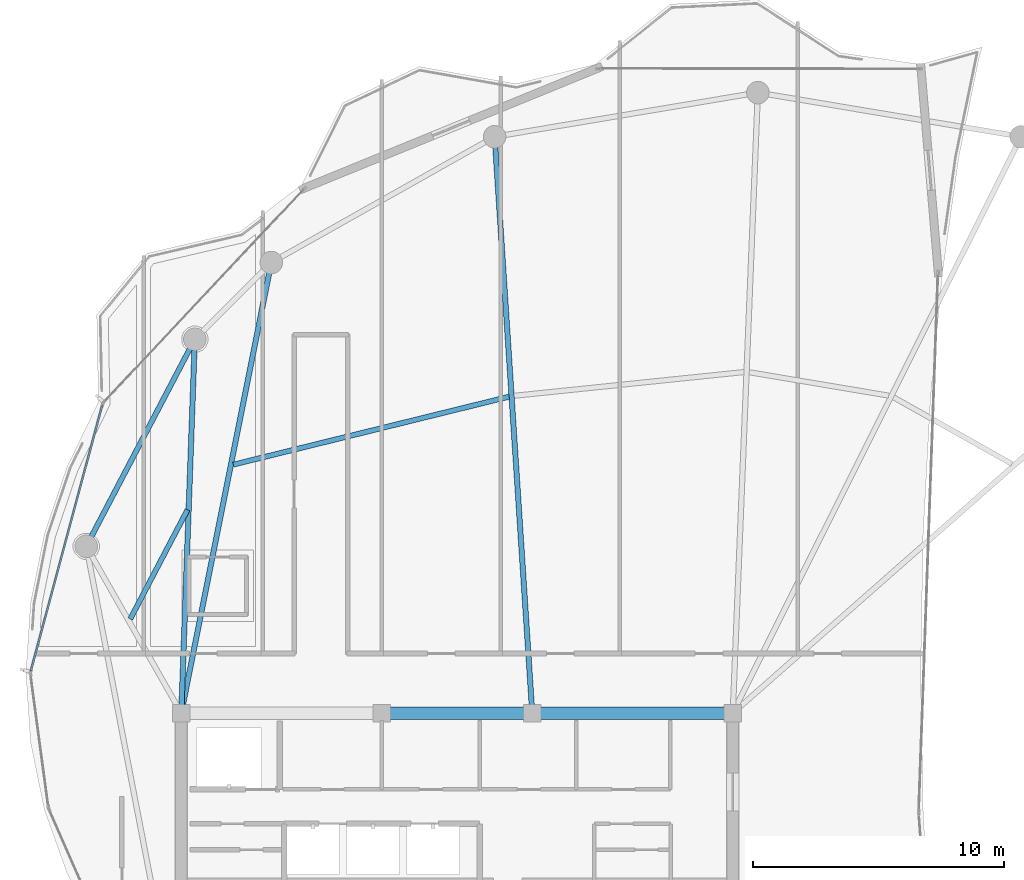
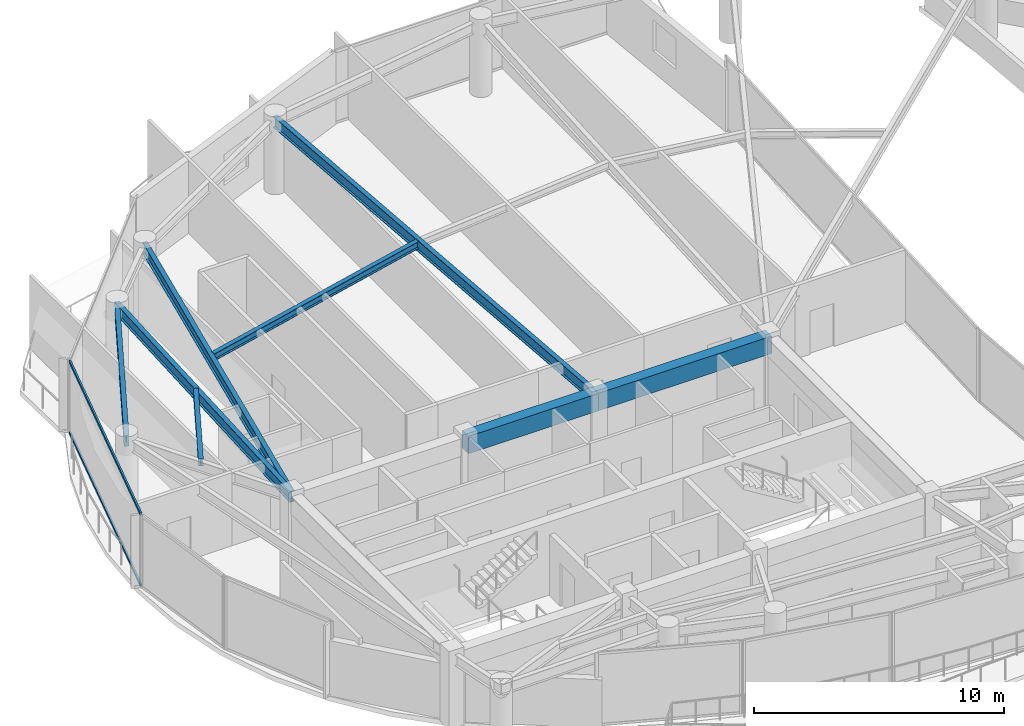
# One storey, part 9 of 23: 8 beams, 2 members, 1 element without a shape of its own.
"""IFC4 building model written with IfcOpenShell, lengths in metres."""

from ifc_helpers import new_model, si_unit, direction, frame, origin, origin_2d, place, context, subcontext, project, spatial, rectangle, hollow_rectangle, i_section, extrude, material, layer, layer_set, material_profile, profile_set, type_object, element, aggregate, save


model = new_model("IFC4")

# Units and contexts
model_context = context("Model", 3, precision=1e-05, world=origin(), true_north=direction((0.0, 1.0)))
body_context = subcontext(model_context, "Body", "Model", "MODEL_VIEW")
ifc_project = project(units=[si_unit("LENGTHUNIT", "METRE"), si_unit("AREAUNIT", "SQUARE_METRE"), si_unit("VOLUMEUNIT", "CUBIC_METRE"), si_unit("PLANEANGLEUNIT", "RADIAN"), si_unit("MASSUNIT", "GRAM", prefix="KILO")], contexts=[model_context])

# Site, building, storey
site_placement = place(None, origin())
site = spatial("IfcSite", under=ifc_project, at=site_placement, CompositionType="ELEMENT")
building_placement = place(site_placement, origin())
building = spatial("IfcBuilding", under=site, at=building_placement, Name="Kazevale Care Tower and Concert Hall", CompositionType="ELEMENT")
storey_placement = place(building_placement, frame((0.0, 0.0, 266.199951171875)))
storey = spatial("IfcBuildingStorey", under=building, at=storey_placement, Name="L70", CompositionType="ELEMENT", Elevation=266.199951171875)

# Curtain wall, members
ifc_material_1 = material(Name="Aluminium 6063-T6 and Low-E Glass", Category="aluminium")
ifc_layer = layer(ifc_material_1, 0.179931640625)
ifc_layer_set = layer_set([ifc_layer], Name="Aluminium 6063-T6 and Low-E Glass")
curtain_wall_type = type_object("IfcCurtainWallType", Name="Waist & Upper Residential Curtain Wall CW-4", PredefinedType="NOTDEFINED", material=ifc_layer_set)
curtain_wall_placement = place(storey_placement, origin())
curtain_wall = element("IfcCurtainWall", 1, at=curtain_wall_placement, inside=storey, type_object=curtain_wall_type, Name="cw:L70:f09", PredefinedType="NOTDEFINED")
ifc_material_2 = material(Name="Aluminium 6063-T6", Category="aluminium")
ifc_material_profile_1 = material_profile(ifc_material_2, hollow_rectangle(XDim=0.080078125, YDim=0.139892578125, WallThickness=0.00390625, at=origin_2d()), Name="ALU80x140x4")
ifc_profile_set_1 = profile_set([ifc_material_profile_1], Name="Aluminium 6063-T6")
member_type = type_object("IfcMemberType", Name="CW-4 Transom ALU80x140x4", PredefinedType="USERDEFINED", material=ifc_profile_set_1)
member_1_placement = place(storey_placement, frame((16.000732421875, 38.0771484375, 0.0400390625), z_axis=(0.259559833585, 0.965727028093, 0.0), x_axis=(-0.965727028093, 0.259559833585, 0.0)))
member_1 = element("IfcMember", 2, at=member_1_placement, type_object=member_type, Name="CW-4 transom 1.1", ObjectType="TRANSOM", PredefinedType="USERDEFINED", context=body_context, shape_type="SweptSolid", body=[
    extrude(hollow_rectangle(XDim=0.080078125, YDim=0.139892578125, WallThickness=0.00390625, at=origin_2d()), origin(), (0.0, 0.0, 1.0), 10.986083984375),
])
member_2_placement = place(storey_placement, frame((16.000732421875, 38.0771484375, 3.52001953125), z_axis=(0.259559833585, 0.965727028093, 0.0), x_axis=(-0.965727028093, 0.259559833585, 0.0)))
member_2 = element("IfcMember", 3, at=member_2_placement, type_object=member_type, Name="CW-4 transom 1.2", ObjectType="TRANSOM", PredefinedType="USERDEFINED", context=body_context, shape_type="SweptSolid", body=[
    extrude(hollow_rectangle(XDim=0.080078125, YDim=0.139892578125, WallThickness=0.00390625, at=origin_2d()), origin(), (0.0, 0.0, 1.0), 10.986083984375),
])
aggregate(curtain_wall, [member_1, member_2])

# Beams
ifc_material_3 = material(Name="Concrete C60", Category="concrete")
ifc_material_profile_2 = material_profile(ifc_material_3, rectangle(XDim=0.5, YDim=0.85009765625, at=origin_2d()), Name="RC-B500x850")
ifc_profile_set_2 = profile_set([ifc_material_profile_2], Name="Concrete C60")
beam_type_1 = type_object("IfcBeamType", Name="Core Coupling Beam RC500x850", PredefinedType="LINTEL", material=ifc_profile_set_2)
beam_1_placement = place(storey_placement, frame((44.0, 36.39990234375, 3.135009765625), z_axis=(-1.0, 0.0, 0.0), x_axis=(0.0, -1.0, 0.0)))
element("IfcBeam", 4, at=beam_1_placement, inside=storey, type_object=beam_type_1, Name="beam:L70:coretie:5", PredefinedType="LINTEL", context=body_context, shape_type="SweptSolid", body=[
    extrude(rectangle(XDim=0.5, YDim=0.85009765625, at=origin_2d()), origin(), (0.0, 0.0, 1.0), 8.0),
])
beam_2_placement = place(storey_placement, frame((36.0, 36.39990234375, 3.135009765625), z_axis=(-1.0, 0.0, 0.0), x_axis=(0.0, -1.0, 0.0)))
element("IfcBeam", 5, at=beam_2_placement, inside=storey, type_object=beam_type_1, Name="beam:L70:coretie:6", PredefinedType="LINTEL", context=body_context, shape_type="SweptSolid", body=[
    extrude(rectangle(XDim=0.5, YDim=0.85009765625, at=origin_2d()), origin(), (0.0, 0.0, 1.0), 6.0),
])
ifc_material_4 = material(Name="Steel ASTM A572 Gr 50", Category="steel")
ifc_material_profile_3 = material_profile(ifc_material_4, i_section(OverallWidth=0.2119140625, OverallDepth=0.5439453125, WebThickness=0.01318359375, FlangeThickness=0.021240234375, at=origin_2d()), Name="W530x123")
ifc_profile_set_3 = profile_set([ifc_material_profile_3], Name="Steel ASTM A572 Gr 50")
beam_type_2 = type_object("IfcBeamType", Name="Radial Floor Girder W530x123", PredefinedType="BEAM", material=ifc_profile_set_3)
beam_3_placement = place(storey_placement, frame((36.0, 36.39990234375, 3.2880859375), z_axis=(-0.0651073525, 0.997878265446, 0.0), x_axis=(-0.997878265446, -0.0651073525, 0.0)))
element("IfcBeam", 6, at=beam_3_placement, inside=storey, type_object=beam_type_2, Name="beam:L70:rad:06", PredefinedType="BEAM", context=body_context, shape_type="SweptSolid", body=[
    extrude(i_section(OverallWidth=0.2119140625, OverallDepth=0.5439453125, WebThickness=0.01318359375, FlangeThickness=0.021240234375, at=origin_2d()), origin(), (0.0, 0.0, 1.0), 23.038818359375),
])
beam_4_placement = place(storey_placement, frame((22.0, 36.39990234375, 3.2880859375), z_axis=(0.195908605871, 0.980622158706, 0.0), x_axis=(-0.980622158706, 0.195908605871, 0.0)))
element("IfcBeam", 7, at=beam_4_placement, inside=storey, type_object=beam_type_2, Name="beam:L70:rad:07", PredefinedType="BEAM", context=body_context, shape_type="SweptSolid", body=[
    extrude(i_section(OverallWidth=0.2119140625, OverallDepth=0.5439453125, WebThickness=0.01318359375, FlangeThickness=0.021240234375, at=origin_2d()), origin(), (0.0, 0.0, 1.0), 18.325439453125),
])
beam_5_placement = place(storey_placement, frame((22.0, 36.39990234375, 3.2880859375), z_axis=(0.036195810092, 0.999344716968, 0.0), x_axis=(-0.999344716968, 0.036195810092, 0.0)))
element("IfcBeam", 8, at=beam_5_placement, inside=storey, type_object=beam_type_2, Name="beam:L70:rad:08", PredefinedType="BEAM", context=body_context, shape_type="SweptSolid", body=[
    extrude(i_section(OverallWidth=0.2119140625, OverallDepth=0.5439453125, WebThickness=0.01318359375, FlangeThickness=0.021240234375, at=origin_2d()), origin(), (0.0, 0.0, 1.0), 14.919921875),
])
ifc_material_profile_4 = material_profile(ifc_material_4, i_section(OverallWidth=0.205078125, OverallDepth=0.35400390625, WebThickness=0.009521484375, FlangeThickness=0.016845703125, at=origin_2d()), Name="W360x79")
ifc_profile_set_4 = profile_set([ifc_material_profile_4], Name="Steel ASTM A572 Gr 50")
beam_type_3 = type_object("IfcBeamType", Name="Secondary Floor Joist W360x79", PredefinedType="JOIST", material=ifc_profile_set_4)
beam_6_placement = place(storey_placement, frame((35.072998046875, 49.01904296875, 3.383056640625), z_axis=(-0.970953581022, -0.239267932452, 0.0), x_axis=(0.239267932452, -0.970953581022, 0.0)))
element("IfcBeam", 9, at=beam_6_placement, inside=storey, type_object=beam_type_3, Name="beam:L70:joist:06", PredefinedType="JOIST", context=body_context, shape_type="SweptSolid", body=[
    extrude(i_section(OverallWidth=0.205078125, OverallDepth=0.35400390625, WebThickness=0.009521484375, FlangeThickness=0.016845703125, at=origin_2d()), origin(), (0.0, 0.0, 1.0), 11.326171875),
])
beam_7_placement = place(storey_placement, frame((22.248046875, 44.508056640625, 3.383056640625), z_axis=(-0.46418126854, -0.885740227119, 0.0), x_axis=(0.885740227119, -0.46418126854, 0.0)))
element("IfcBeam", 10, at=beam_7_placement, inside=storey, type_object=beam_type_3, Name="beam:L70:joist:08", PredefinedType="JOIST", context=body_context, shape_type="SweptSolid", body=[
    extrude(i_section(OverallWidth=0.205078125, OverallDepth=0.35400390625, WebThickness=0.009521484375, FlangeThickness=0.016845703125, at=origin_2d()), origin(), (0.0, 0.0, 1.0), 4.92041015625),
])
ifc_material_profile_5 = material_profile(ifc_material_4, i_section(OverallWidth=0.208984375, OverallDepth=0.532958984375, WebThickness=0.01025390625, FlangeThickness=0.015625, at=origin_2d()), Name="W530x92")
ifc_profile_set_5 = profile_set([ifc_material_profile_5], Name="Steel ASTM A572 Gr 50")
beam_type_4 = type_object("IfcBeamType", Name="Upper Ring Beam W530x92", PredefinedType="BEAM", material=ifc_profile_set_5)
beam_8_placement = place(storey_placement, frame((22.5400390625, 51.31005859375, 3.29345703125), z_axis=(-0.464293577914, -0.885681361161, 0.0), x_axis=(0.885681361161, -0.464293577914, 0.0)))
element("IfcBeam", 11, at=beam_8_placement, inside=storey, type_object=beam_type_4, Name="beam:L70:ring:08", PredefinedType="BEAM", context=body_context, shape_type="SweptSolid", body=[
    extrude(i_section(OverallWidth=0.208984375, OverallDepth=0.532958984375, WebThickness=0.01025390625, FlangeThickness=0.015625, at=origin_2d()), origin(), (0.0, 0.0, 1.0), 9.326171875),
])

save(model, "model.ifc")
